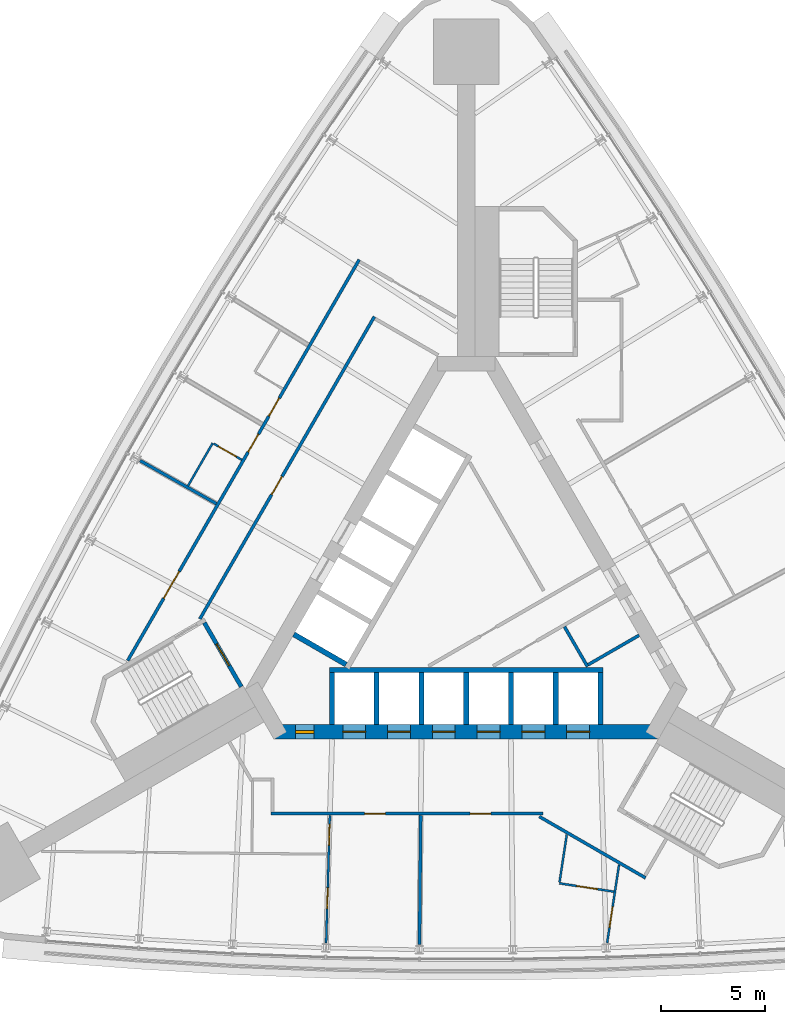
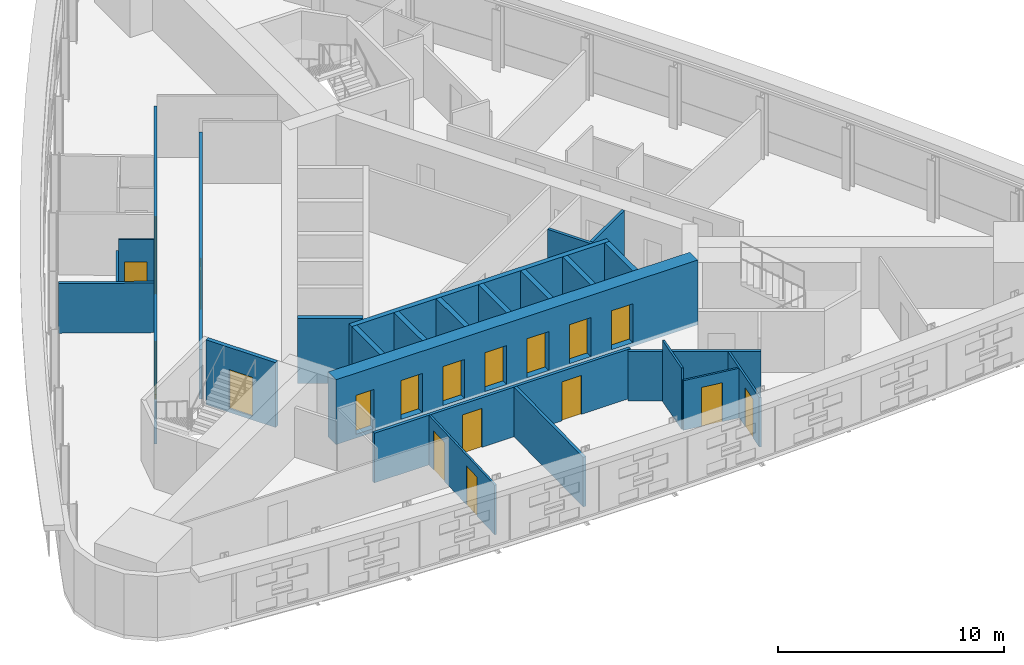
# One storey, part 8 of 13: 25 walls, 19 doors, 19 openings.
"""IFC4 building model written with IfcOpenShell, lengths in metres."""

import ifcopenshell
import ifcopenshell.guid

model = None  # the IFC model being written
_history = None  # IfcOwnerHistory: only IFC2X3 demands one
_inside = {}  # id of a spatial element -> (the spatial element, [elements in it])
_under = {}  # id of a project, library or spatial element -> (it, [spatial elements below it])
_declared = {}  # id of a project -> (the project, [libraries it declares])
_typed = {}  # id of a type object -> (the type object, [elements of that type])
_made_of = {}  # id of a material, layer set ... -> (it, [elements and type objects made of it])


def new_model(schema):
    """Start an empty IFC model of exactly this schema.

    Asked for "IFC4X3", IfcOpenShell would pick the latest addendum, in which some entities
    have other attributes; the version numbers below select the first issue.
    IFC2X3 requires an IfcOwnerHistory on every rooted entity: one is made here for all.
    """
    global model, _history
    if schema == "IFC4X3":
        model = ifcopenshell.file(schema_version=(4, 3, 0, 0))
    else:
        model = ifcopenshell.file(schema=schema)
    _inside.clear()
    _under.clear()
    _declared.clear()
    _typed.clear()
    _made_of.clear()
    _history = None
    if model.schema == "IFC2X3":
        org = make("IfcOrganization", Name="unknown")
        user = make(
            "IfcPersonAndOrganization",
            ThePerson=make("IfcPerson", FamilyName="unknown"),
            TheOrganization=org,
        )
        app = make(
            "IfcApplication",
            ApplicationDeveloper=org,
            Version="unknown",
            ApplicationFullName="unknown",
            ApplicationIdentifier="unknown",
        )
        _history = make(
            "IfcOwnerHistory",
            OwningUser=user,
            OwningApplication=app,
            ChangeAction="ADDED",
            CreationDate=0,
        )
    return model


def make(cls, **values):
    """One entity of the class cls with the attributes given. An attribute that is None is left unset."""
    return model.create_entity(
        cls, **{name: value for name, value in values.items() if value is not None}
    )


def rooted(cls, **values):
    """An entity with a GlobalId (a new one), such as an element, a storey or a relation."""
    return make(cls, GlobalId=ifcopenshell.guid.new(), OwnerHistory=_history, **values)


def si_unit(unit_type, name, prefix=None):
    """IfcSIUnit, for example si_unit("LENGTHUNIT", "METRE", prefix="MILLI")."""
    return make("IfcSIUnit", UnitType=unit_type, Prefix=prefix, Name=name)


def assignment(units):
    """IfcUnitAssignment: the units of a project."""
    return None if units is None else make("IfcUnitAssignment", Units=units)


def point(xyz):
    """IfcCartesianPoint."""
    return None if xyz is None else make("IfcCartesianPoint", Coordinates=xyz)


def direction(xyz):
    """IfcDirection."""
    return None if xyz is None else make("IfcDirection", DirectionRatios=xyz)


def frame(location, z_axis=None, x_axis=None):
    """IfcAxis2Placement3D, a coordinate frame: its origin and axes. An axis left out is left unset."""
    return make(
        "IfcAxis2Placement3D",
        Location=point(location),
        Axis=direction(z_axis),
        RefDirection=direction(x_axis),
    )


def frame_2d(location, x_axis=None):
    """IfcAxis2Placement2D, a coordinate frame in the plane: its origin and x axis."""
    return make(
        "IfcAxis2Placement2D", Location=point(location), RefDirection=direction(x_axis)
    )


def origin():
    """The frame at (0, 0, 0) with its axes left unset."""
    return frame((0.0, 0.0, 0.0))


def place(relative_to, where):
    """IfcLocalPlacement: puts the frame where relative to a parent placement (None: the world)."""
    return make(
        "IfcLocalPlacement", PlacementRelTo=relative_to, RelativePlacement=where
    )


def context(
    kind, dimensions, precision=None, world=None, true_north=None, identifier=None
):
    """IfcGeometricRepresentationContext, for example the 3D "Model" context."""
    return make(
        "IfcGeometricRepresentationContext",
        ContextIdentifier=identifier,
        ContextType=kind,
        CoordinateSpaceDimension=dimensions,
        Precision=precision,
        WorldCoordinateSystem=world,
        TrueNorth=true_north,
    )


def subcontext(parent, identifier, kind, view, scale=None):
    """IfcGeometricRepresentationSubContext, for example "Body" below "Model"."""
    return make(
        "IfcGeometricRepresentationSubContext",
        ContextIdentifier=identifier,
        ContextType=kind,
        ParentContext=parent,
        TargetScale=scale,
        TargetView=view,
    )


def project(units=None, contexts=None):
    """IfcProject with its units and contexts."""
    return rooted(
        "IfcProject",
        Name="project",
        RepresentationContexts=contexts,
        UnitsInContext=assignment(units),
    )


def spatial(cls, under=None, at=None, **own):
    """A site, building, storey or space (cls), placed at a placement, below another one or the project."""
    s = rooted(cls, ObjectPlacement=at, **own)
    if under is not None:
        _under.setdefault(under.id(), (under, []))[1].append(s)
    return s


def profile(cls, at=None, kind="AREA", **sizes):
    """A parametric profile (cls). Its sizes go by their IFC names, for example OverallWidth=200.0."""
    return make(cls, ProfileType=kind, Position=at, **sizes)


def rectangle(**sizes):
    """IfcRectangleProfileDef."""
    return profile("IfcRectangleProfileDef", **sizes)


def extrude(swept, where, along, depth):
    """IfcExtrudedAreaSolid: the profile swept, set in the frame where, extruded along a direction by depth."""
    return make(
        "IfcExtrudedAreaSolid",
        SweptArea=swept,
        Position=where,
        ExtrudedDirection=direction(along),
        Depth=depth,
    )


def shape(context_of_items, identifier, shape_type, items):
    """IfcShapeRepresentation: the items that make up one representation, for example the "Body"."""
    return make(
        "IfcShapeRepresentation",
        ContextOfItems=context_of_items,
        RepresentationIdentifier=identifier,
        RepresentationType=shape_type,
        Items=items,
    )


def material(Name=None, Category=None):
    """IfcMaterial."""
    return make("IfcMaterial", Name=Name, Category=Category)


def layer(
    of_material, thickness, ventilated=None, Name=None, Category=None, Priority=None
):
    """IfcMaterialLayer: one layer of a wall or slab, of a material (None: an air gap)."""
    return make(
        "IfcMaterialLayer",
        Material=of_material,
        LayerThickness=thickness,
        IsVentilated=ventilated,
        Name=Name,
        Category=Category,
        Priority=Priority,
    )


def layer_set(layers, Name=None):
    """IfcMaterialLayerSet."""
    return make("IfcMaterialLayerSet", MaterialLayers=layers, LayerSetName=Name)


def made_of(thing, what):
    """Note that an element or type object is made of a material, layer set ...; save() writes the relation."""
    if what is not None:
        _made_of.setdefault(what.id(), (what, []))[1].append(thing)
    return thing


def type_object(cls, material=None, **own):
    """A type object (cls), such as IfcWallType, which elements share."""
    return made_of(rooted(cls, **own), material)


def element(
    cls,
    number,
    at=None,
    inside=None,
    cuts=None,
    type_object=None,
    material=None,
    context=None,
    identifier="Body",
    shape_type=None,
    held_by="IfcProductDefinitionShape",
    body=None,
    shapes=None,
    **own,
):
    """One element of the class cls, such as IfcWall. Its Tag is "e" and its number.

    at: its placement. inside: the storey or other place that contains it. cuts: it is an
    opening in that element (IfcRelVoidsElement). A single representation is given by context,
    identifier, shape_type and body (its items); several are given by shapes. held_by: the class
    of the entity that holds the representations. save() writes the other relations.
    """
    e = rooted(cls, Tag="e%d" % number, ObjectPlacement=at, **own)
    if body is not None:
        shapes = [shape(context, identifier, shape_type, body)]
    if shapes is not None:
        e.Representation = make(held_by, Representations=shapes)
    if inside is not None:
        _inside.setdefault(inside.id(), (inside, []))[1].append(e)
    if cuts is not None:
        rooted(
            "IfcRelVoidsElement", RelatingBuildingElement=cuts, RelatedOpeningElement=e
        )
    if type_object is not None:
        _typed.setdefault(type_object.id(), (type_object, []))[1].append(e)
    return made_of(e, material)


def fill(opening, filler):
    """IfcRelFillsElement: the door or window that sits in an opening."""
    return rooted(
        "IfcRelFillsElement",
        RelatingOpeningElement=opening,
        RelatedBuildingElement=filler,
    )


def aggregate(whole, parts):
    """IfcRelAggregates: a whole, such as a stair, and the parts it consists of."""
    return rooted("IfcRelAggregates", RelatingObject=whole, RelatedObjects=parts)


def save(model, path):
    """Write the relations noted so far, then the file.

    IfcRelAggregates (storeys below a building ...), IfcRelContainedInSpatialStructure (elements
    in a storey), IfcRelDefinesByType, IfcRelAssociatesMaterial and IfcRelDeclares: one each for
    every whole, place, type object, material and project.
    """
    for whole, parts in _under.values():
        aggregate(whole, parts)
    for where, things in _inside.values():
        rooted(
            "IfcRelContainedInSpatialStructure",
            RelatedElements=things,
            RelatingStructure=where,
        )
    for kind, things in _typed.values():
        rooted("IfcRelDefinesByType", RelatedObjects=things, RelatingType=kind)
    for what, things in _made_of.values():
        rooted("IfcRelAssociatesMaterial", RelatedObjects=things, RelatingMaterial=what)
    for by, libraries in _declared.values():
        rooted("IfcRelDeclares", RelatingContext=by, RelatedDefinitions=libraries)
    model.write(path)


model = new_model("IFC4")

# Units and contexts
model_context = context("Model", 3, precision=1e-05, world=origin(), true_north=direction((0.0, 1.0)))
body_context = subcontext(model_context, "Body", "Model", "MODEL_VIEW")
ifc_project = project(units=[si_unit("LENGTHUNIT", "METRE"), si_unit("AREAUNIT", "SQUARE_METRE"), si_unit("VOLUMEUNIT", "CUBIC_METRE"), si_unit("PLANEANGLEUNIT", "RADIAN"), si_unit("MASSUNIT", "GRAM", prefix="KILO")], contexts=[model_context])

# Site, building, storey
site_placement = place(None, origin())
site = spatial("IfcSite", under=ifc_project, at=site_placement, CompositionType="ELEMENT")
building_placement = place(site_placement, origin())
building = spatial("IfcBuilding", under=site, at=building_placement, Name="Noor Cloister Tower", CompositionType="ELEMENT")
storey_placement = place(building_placement, frame((0.0, 0.0, 83.39990234375)))
storey = spatial("IfcBuildingStorey", under=building, at=storey_placement, Name="L21", CompositionType="ELEMENT", Elevation=83.39990234375)

# Walls
ifc_material_1 = material(Name="Concrete C30/37", Category="concrete")
ifc_layer_1 = layer(ifc_material_1, 0.14990234375)
ifc_layer_set_1 = layer_set([ifc_layer_1], Name="Core partition 150 C30/37")
wall_type_1 = type_object("IfcWallType", Name="Core partition 150 C30/37", PredefinedType="PARTITIONING", material=ifc_layer_set_1)
wall_1_placement = place(storey_placement, frame((5.82861328125, -3.439208984375, 0.0), z_axis=(0.0, 0.0, 1.0), x_axis=(-0.49995790319, 0.866049707025, 0.0)))
element("IfcWall", 1, at=wall_1_placement, inside=storey, type_object=wall_type_1, Name="Core room partition L21 4", PredefinedType="PARTITIONING", context=body_context, shape_type="SweptSolid", body=[
    extrude(rectangle(XDim=2.214111328125, YDim=0.14990234375, at=frame_2d((1.10693359375, 0.0))), origin(), (0.0, 0.0, 1.0), 3.300048828125),
])
wall_2_placement = place(storey_placement, frame((5.861572265625, -3.34619140625, 0.0), z_axis=(0.0, 0.0, 1.0), x_axis=(0.866011447264, 0.500024172624, 0.0)))
element("IfcWall", 2, at=wall_2_placement, inside=storey, type_object=wall_type_1, Name="Core room partition L21 5", PredefinedType="PARTITIONING", context=body_context, shape_type="SweptSolid", body=[
    extrude(rectangle(XDim=2.824951171875, YDim=0.14990234375, at=frame_2d((1.41259765625, 0.0))), origin(), (0.0, 0.0, 1.0), 3.300048828125),
])

# Wall, openings, doors
ifc_material_2 = material(Name="Concrete C80/95", Category="concrete")
ifc_layer_2 = layer(ifc_material_2, 0.699951171875)
ifc_layer_set_2 = layer_set([ifc_layer_2], Name="Core wall 700 C80/95")
wall_type_2 = type_object("IfcWallType", Name="Core wall 700 C80/95", PredefinedType="SHEAR", material=ifc_layer_set_2)
wall_3_placement = place(storey_placement, frame((-9.228759765625, -6.578125, -0.199951171875), z_axis=(0.0, 0.0, 1.0), x_axis=(1.0, 0.0, 0.0)))
wall_3 = element("IfcWall", 3, at=wall_3_placement, inside=storey, type_object=wall_type_2, Name="Core wall L21 1", PredefinedType="SHEAR", context=body_context, shape_type="SweptSolid", body=[
    extrude(rectangle(XDim=18.45751953125, YDim=0.699951171875, at=frame_2d((9.228759765625, 0.0))), origin(), (0.0, 0.0, 1.0), 3.5),
])
opening_1_placement = place(wall_3_placement, frame((3.3037109375, 0.0, 0.199951171875)))
opening_1 = element("IfcOpeningElement", 4, at=opening_1_placement, cuts=wall_3, Name="Opening L21-LR1", PredefinedType="OPENING", context=body_context, shape_type="SweptSolid", body=[
    extrude(rectangle(XDim=1.10009765625, YDim=2.10009765625, at=frame_2d((0.550048828125, 1.050048828125))), frame((0.0, 0.35986328125, 0.0), z_axis=(0.0, -1.0, 0.0), x_axis=(1.0, 0.0, 0.0)), (0.0, 0.0, 1.0), 0.719970703125),
])
opening_2_placement = place(wall_3_placement, frame((5.45361328125, 0.0, 0.199951171875)))
opening_2 = element("IfcOpeningElement", 5, at=opening_2_placement, cuts=wall_3, Name="Opening L21-LR2", PredefinedType="OPENING", context=body_context, shape_type="SweptSolid", body=[
    extrude(rectangle(XDim=1.10009765625, YDim=2.10009765625, at=frame_2d((0.550048828125, 1.050048828125))), frame((0.0, 0.35986328125, 0.0), z_axis=(0.0, -1.0, 0.0), x_axis=(1.0, 0.0, 0.0)), (0.0, 0.0, 1.0), 0.719970703125),
])
opening_3_placement = place(wall_3_placement, frame((7.603759765625, 0.0, 0.199951171875)))
opening_3 = element("IfcOpeningElement", 6, at=opening_3_placement, cuts=wall_3, Name="Opening L21-LR3", PredefinedType="OPENING", context=body_context, shape_type="SweptSolid", body=[
    extrude(rectangle(XDim=1.10009765625, YDim=2.10009765625, at=frame_2d((0.550048828125, 1.050048828125))), frame((0.0, 0.35986328125, 0.0), z_axis=(0.0, -1.0, 0.0), x_axis=(1.0, 0.0, 0.0)), (0.0, 0.0, 1.0), 0.719970703125),
])
opening_4_placement = place(wall_3_placement, frame((9.753662109375, 0.0, 0.199951171875)))
opening_4 = element("IfcOpeningElement", 7, at=opening_4_placement, cuts=wall_3, Name="Opening L21-LR4", PredefinedType="OPENING", context=body_context, shape_type="SweptSolid", body=[
    extrude(rectangle(XDim=1.10009765625, YDim=2.10009765625, at=frame_2d((0.550048828125, 1.050048828125))), frame((0.0, 0.35986328125, 0.0), z_axis=(0.0, -1.0, 0.0), x_axis=(1.0, 0.0, 0.0)), (0.0, 0.0, 1.0), 0.719970703125),
])
opening_5_placement = place(wall_3_placement, frame((11.90380859375, 0.0, 0.199951171875)))
opening_5 = element("IfcOpeningElement", 8, at=opening_5_placement, cuts=wall_3, Name="Opening L21-LR5", PredefinedType="OPENING", context=body_context, shape_type="SweptSolid", body=[
    extrude(rectangle(XDim=1.10009765625, YDim=2.10009765625, at=frame_2d((0.550048828125, 1.050048828125))), frame((0.0, 0.35986328125, 0.0), z_axis=(0.0, -1.0, 0.0), x_axis=(1.0, 0.0, 0.0)), (0.0, 0.0, 1.0), 0.719970703125),
])
opening_6_placement = place(wall_3_placement, frame((14.0537109375, 0.0, 0.199951171875)))
opening_6 = element("IfcOpeningElement", 9, at=opening_6_placement, cuts=wall_3, Name="Opening L21-LR6", PredefinedType="OPENING", context=body_context, shape_type="SweptSolid", body=[
    extrude(rectangle(XDim=1.10009765625, YDim=2.10009765625, at=frame_2d((0.550048828125, 1.050048828125))), frame((0.0, 0.35986328125, 0.0), z_axis=(0.0, -1.0, 0.0), x_axis=(1.0, 0.0, 0.0)), (0.0, 0.0, 1.0), 0.719970703125),
])
opening_7_placement = place(wall_3_placement, frame((1.0263671875, 0.0, 0.199951171875)))
opening_7 = element("IfcOpeningElement", 10, at=opening_7_placement, cuts=wall_3, Name="Opening L21-907", PredefinedType="OPENING", context=body_context, shape_type="SweptSolid", body=[
    extrude(rectangle(XDim=0.89990234375, YDim=2.10009765625, at=frame_2d((0.449951171875, 1.050048828125))), frame((0.0, 0.35986328125, 0.0), z_axis=(0.0, -1.0, 0.0), x_axis=(1.0, 0.0, 0.0)), (0.0, 0.0, 1.0), 0.719970703125),
])
ifc_material_3 = material(Name="Steel", Category="steel")
door_type_1 = type_object("IfcDoorType", Name="Core door 900 x 2100 FD60", OperationType="SINGLE_SWING_LEFT", PredefinedType="DOOR", material=ifc_material_3)
door_1_placement = place(opening_7_placement, origin())
door_1 = element("IfcDoor", 11, at=door_1_placement, inside=storey, type_object=door_type_1, Name="Core door 7 L21", OperationType="SINGLE_SWING_LEFT", OverallHeight=2.10009765625, OverallWidth=0.89990234375, PredefinedType="DOOR", context=body_context, shape_type="SweptSolid", body=[
    extrude(rectangle(XDim=0.89990234375, YDim=2.10009765625, at=frame_2d((0.449951171875, 1.050048828125))), frame((0.0, 0.074951171875, 0.0), z_axis=(0.0, -1.0, 0.0), x_axis=(1.0, 0.0, 0.0)), (0.0, 0.0, 1.0), 0.14990234375),
])
fill(opening_7, door_1)
ifc_material_4 = material(Name="Stainless steel", Category="steel")
door_type_2 = type_object("IfcDoorType", Name="Lift landing door 1100 x 2100", OperationType="DOUBLE_DOOR_SLIDING", PredefinedType="DOOR", material=ifc_material_4)
door_2_placement = place(opening_1_placement, origin())
door_2 = element("IfcDoor", 12, at=door_2_placement, inside=storey, type_object=door_type_2, Name="Landing door LR1 L21", OperationType="DOUBLE_DOOR_SLIDING", OverallHeight=2.10009765625, OverallWidth=1.10009765625, PredefinedType="DOOR", context=body_context, shape_type="SweptSolid", body=[
    extrude(rectangle(XDim=1.10009765625, YDim=2.10009765625, at=frame_2d((0.550048828125, 1.050048828125))), frame((0.0, 0.02490234375, 0.0), z_axis=(0.0, -1.0, 0.0), x_axis=(1.0, 0.0, 0.0)), (0.0, 0.0, 1.0), 0.050048828125),
])
fill(opening_1, door_2)
door_3_placement = place(opening_2_placement, origin())
door_3 = element("IfcDoor", 13, at=door_3_placement, inside=storey, type_object=door_type_2, Name="Landing door LR2 L21", OperationType="DOUBLE_DOOR_SLIDING", OverallHeight=2.10009765625, OverallWidth=1.10009765625, PredefinedType="DOOR", context=body_context, shape_type="SweptSolid", body=[
    extrude(rectangle(XDim=1.10009765625, YDim=2.10009765625, at=frame_2d((0.550048828125, 1.050048828125))), frame((0.0, 0.02490234375, 0.0), z_axis=(0.0, -1.0, 0.0), x_axis=(1.0, 0.0, 0.0)), (0.0, 0.0, 1.0), 0.050048828125),
])
fill(opening_2, door_3)
door_4_placement = place(opening_3_placement, origin())
door_4 = element("IfcDoor", 14, at=door_4_placement, inside=storey, type_object=door_type_2, Name="Landing door LR3 L21", OperationType="DOUBLE_DOOR_SLIDING", OverallHeight=2.10009765625, OverallWidth=1.10009765625, PredefinedType="DOOR", context=body_context, shape_type="SweptSolid", body=[
    extrude(rectangle(XDim=1.10009765625, YDim=2.10009765625, at=frame_2d((0.550048828125, 1.050048828125))), frame((0.0, 0.02490234375, 0.0), z_axis=(0.0, -1.0, 0.0), x_axis=(1.0, 0.0, 0.0)), (0.0, 0.0, 1.0), 0.050048828125),
])
fill(opening_3, door_4)
door_5_placement = place(opening_4_placement, origin())
door_5 = element("IfcDoor", 15, at=door_5_placement, inside=storey, type_object=door_type_2, Name="Landing door LR4 L21", OperationType="DOUBLE_DOOR_SLIDING", OverallHeight=2.10009765625, OverallWidth=1.10009765625, PredefinedType="DOOR", context=body_context, shape_type="SweptSolid", body=[
    extrude(rectangle(XDim=1.10009765625, YDim=2.10009765625, at=frame_2d((0.550048828125, 1.050048828125))), frame((0.0, 0.02490234375, 0.0), z_axis=(0.0, -1.0, 0.0), x_axis=(1.0, 0.0, 0.0)), (0.0, 0.0, 1.0), 0.050048828125),
])
fill(opening_4, door_5)
door_6_placement = place(opening_5_placement, origin())
door_6 = element("IfcDoor", 16, at=door_6_placement, inside=storey, type_object=door_type_2, Name="Landing door LR5 L21", OperationType="DOUBLE_DOOR_SLIDING", OverallHeight=2.10009765625, OverallWidth=1.10009765625, PredefinedType="DOOR", context=body_context, shape_type="SweptSolid", body=[
    extrude(rectangle(XDim=1.10009765625, YDim=2.10009765625, at=frame_2d((0.550048828125, 1.050048828125))), frame((0.0, 0.02490234375, 0.0), z_axis=(0.0, -1.0, 0.0), x_axis=(1.0, 0.0, 0.0)), (0.0, 0.0, 1.0), 0.050048828125),
])
fill(opening_5, door_6)
door_7_placement = place(opening_6_placement, origin())
door_7 = element("IfcDoor", 17, at=door_7_placement, inside=storey, type_object=door_type_2, Name="Landing door LR6 L21", OperationType="DOUBLE_DOOR_SLIDING", OverallHeight=2.10009765625, OverallWidth=1.10009765625, PredefinedType="DOOR", context=body_context, shape_type="SweptSolid", body=[
    extrude(rectangle(XDim=1.10009765625, YDim=2.10009765625, at=frame_2d((0.550048828125, 1.050048828125))), frame((0.0, 0.02490234375, 0.0), z_axis=(0.0, -1.0, 0.0), x_axis=(1.0, 0.0, 0.0)), (0.0, 0.0, 1.0), 0.050048828125),
])
fill(opening_6, door_7)

# Wall, opening, door
ifc_material_5 = material(Name="Fire-rated gypsum board partition on steel studs, 150 mm", Category="steel")
ifc_layer_3 = layer(ifc_material_5, 0.14990234375)
ifc_layer_set_3 = layer_set([ifc_layer_3], Name="Fire lobby wall 150")
wall_type_3 = type_object("IfcWallType", Name="Fire lobby wall 150", PredefinedType="PARTITIONING", material=ifc_layer_set_3)
wall_4_placement = place(storey_placement, frame((-4.40673828125, 13.373779296875, 0.0), z_axis=(0.0, 0.0, 1.0), x_axis=(-0.499997181693, -0.866027030928, 0.0)))
wall_4 = element("IfcWall", 18, at=wall_4_placement, inside=storey, type_object=wall_type_3, Name="Fire lobby wall 150 L21 002", PredefinedType="PARTITIONING", context=body_context, shape_type="SweptSolid", body=[
    extrude(rectangle(XDim=16.76953125, YDim=0.14990234375, at=frame_2d((8.384765625, 0.0))), origin(), (0.0, 0.0, 1.0), 2.677978515625),
])
opening_8_placement = place(wall_4_placement, frame((8.878662109375, 0.0, 0.0)))
opening_8 = element("IfcOpeningElement", 19, at=opening_8_placement, cuts=wall_4, Name="Opening L21-004", PredefinedType="OPENING", context=body_context, shape_type="SweptSolid", body=[
    extrude(rectangle(XDim=1.0, YDim=2.10009765625, at=frame_2d((0.5, 1.050048828125))), frame((0.0, 0.0849609375, 0.0), z_axis=(0.0, -1.0, 0.0), x_axis=(1.0, 0.0, 0.0)), (0.0, 0.0, 1.0), 0.169921875),
])
ifc_material_6 = material(Name="Timber door leaf with steel frame", Category="steel")
door_type_3 = type_object("IfcDoorType", Name="Fire lobby door 1000", OperationType="NOTDEFINED", PredefinedType="DOOR", material=ifc_material_6)
door_8_placement = place(opening_8_placement, origin())
door_8 = element("IfcDoor", 20, at=door_8_placement, inside=storey, type_object=door_type_3, Name="Fire lobby door 1000 L21-004", OperationType="SINGLE_SWING_RIGHT", OverallHeight=2.10009765625, OverallWidth=1.0, PredefinedType="DOOR", context=body_context, shape_type="SweptSolid", body=[
    extrude(rectangle(XDim=1.0, YDim=2.10009765625, at=frame_2d((0.5, 1.050048828125))), frame((0.0, 0.02490234375, 0.0), z_axis=(0.0, -1.0, 0.0), x_axis=(1.0, 0.0, 0.0)), (0.0, 0.0, 1.0), 0.050048828125),
])
fill(opening_8, door_8)

# Wall, openings, doors
ifc_material_7 = material(Name="Gypsum board partition on steel studs, 150 mm", Category="steel")
ifc_layer_4 = layer(ifc_material_7, 0.14990234375)
ifc_layer_set_4 = layer_set([ifc_layer_4], Name="Flat wall 150")
wall_type_4 = type_object("IfcWallType", Name="Flat wall 150", PredefinedType="PARTITIONING", material=ifc_layer_set_4)
wall_5_placement = place(storey_placement, frame((-16.255615234375, -3.149169921875, 0.0), z_axis=(0.0, 0.0, 1.0), x_axis=(0.499999683919, 0.866025586274, 0.0)))
wall_5 = element("IfcWall", 21, at=wall_5_placement, inside=storey, type_object=wall_type_4, Name="Flat wall 150 L21 001", PredefinedType="PARTITIONING", context=body_context, shape_type="SweptSolid", body=[
    extrude(rectangle(XDim=22.23388671875, YDim=0.14990234375, at=frame_2d((11.116943359375, 0.0))), origin(), (0.0, 0.0, 1.0), 2.677978515625),
])
opening_9_placement = place(wall_5_placement, frame((13.552978515625, 0.0, 0.0)))
opening_9 = element("IfcOpeningElement", 22, at=opening_9_placement, cuts=wall_5, Name="Opening L21-001", PredefinedType="OPENING", context=body_context, shape_type="SweptSolid", body=[
    extrude(rectangle(XDim=1.0, YDim=2.10009765625, at=frame_2d((0.5, 1.050048828125))), frame((0.0, 0.0849609375, 0.0), z_axis=(0.0, -1.0, 0.0), x_axis=(1.0, 0.0, 0.0)), (0.0, 0.0, 1.0), 0.169921875),
])
opening_10_placement = place(wall_5_placement, frame((11.5595703125, 0.0, 0.0)))
opening_10 = element("IfcOpeningElement", 23, at=opening_10_placement, cuts=wall_5, Name="Opening L21-002", PredefinedType="OPENING", context=body_context, shape_type="SweptSolid", body=[
    extrude(rectangle(XDim=1.0, YDim=2.10009765625, at=frame_2d((0.5, 1.050048828125))), frame((0.0, 0.0849609375, 0.0), z_axis=(0.0, -1.0, 0.0), x_axis=(1.0, 0.0, 0.0)), (0.0, 0.0, 1.0), 0.169921875),
])
opening_11_placement = place(wall_5_placement, frame((3.4462890625, 0.0, 0.0)))
opening_11 = element("IfcOpeningElement", 24, at=opening_11_placement, cuts=wall_5, Name="Opening L21-003", PredefinedType="OPENING", context=body_context, shape_type="SweptSolid", body=[
    extrude(rectangle(XDim=1.5, YDim=2.10009765625, at=frame_2d((0.75, 1.050048828125))), frame((0.0, 0.0849609375, 0.0), z_axis=(0.0, -1.0, 0.0), x_axis=(1.0, 0.0, 0.0)), (0.0, 0.0, 1.0), 0.169921875),
])
ifc_material_8 = material(Name="Timber door leaf with steel frame", Category="steel")
door_type_4 = type_object("IfcDoorType", Name="Assisted living door 1000", OperationType="NOTDEFINED", PredefinedType="DOOR", material=ifc_material_8)
door_9_placement = place(opening_9_placement, origin())
door_9 = element("IfcDoor", 25, at=door_9_placement, inside=storey, type_object=door_type_4, Name="Assisted living door 1000 L21-001", OperationType="SINGLE_SWING_RIGHT", OverallHeight=2.10009765625, OverallWidth=1.0, PredefinedType="DOOR", context=body_context, shape_type="SweptSolid", body=[
    extrude(rectangle(XDim=1.0, YDim=2.10009765625, at=frame_2d((0.5, 1.050048828125))), frame((0.0, 0.02490234375, 0.0), z_axis=(0.0, -1.0, 0.0), x_axis=(1.0, 0.0, 0.0)), (0.0, 0.0, 1.0), 0.050048828125),
])
fill(opening_9, door_9)
door_10_placement = place(opening_10_placement, origin())
door_10 = element("IfcDoor", 26, at=door_10_placement, inside=storey, type_object=door_type_4, Name="Assisted living door 1000 L21-002", OperationType="SINGLE_SWING_RIGHT", OverallHeight=2.10009765625, OverallWidth=1.0, PredefinedType="DOOR", context=body_context, shape_type="SweptSolid", body=[
    extrude(rectangle(XDim=1.0, YDim=2.10009765625, at=frame_2d((0.5, 1.050048828125))), frame((0.0, 0.02490234375, 0.0), z_axis=(0.0, -1.0, 0.0), x_axis=(1.0, 0.0, 0.0)), (0.0, 0.0, 1.0), 0.050048828125),
])
fill(opening_10, door_10)
ifc_material_9 = material(Name="Timber door leaf with steel frame", Category="steel")
door_type_5 = type_object("IfcDoorType", Name="Double door 1500 FD60", OperationType="NOTDEFINED", PredefinedType="DOOR", material=ifc_material_9)
door_11_placement = place(opening_11_placement, origin())
door_11 = element("IfcDoor", 27, at=door_11_placement, inside=storey, type_object=door_type_5, Name="Double door 1500 L21-003", OperationType="DOUBLE_DOOR_SINGLE_SWING", OverallHeight=2.10009765625, OverallWidth=1.5, PredefinedType="DOOR", context=body_context, shape_type="SweptSolid", body=[
    extrude(rectangle(XDim=1.5, YDim=2.10009765625, at=frame_2d((0.75, 1.050048828125))), frame((0.0, 0.02490234375, 0.0), z_axis=(0.0, -1.0, 0.0), x_axis=(1.0, 0.0, 0.0)), (0.0, 0.0, 1.0), 0.050048828125),
])
fill(opening_11, door_11)

wall_6_placement = place(storey_placement, frame((3.68896484375, -10.503173828125, 0.0), z_axis=(0.0, 0.0, 1.0), x_axis=(-1.0, 0.0, 0.0)))
wall_6 = element("IfcWall", 28, at=wall_6_placement, inside=storey, type_object=wall_type_4, Name="Flat wall 150 L21 004", PredefinedType="PARTITIONING", context=body_context, shape_type="SweptSolid", body=[
    extrude(rectangle(XDim=13.067626953125, YDim=0.14990234375, at=frame_2d((6.53369140625, 0.0))), origin(), (0.0, 0.0, 1.0), 2.677978515625),
])
opening_12_placement = place(wall_6_placement, frame((7.565673828125, 0.0, 0.0)))
opening_12 = element("IfcOpeningElement", 29, at=opening_12_placement, cuts=wall_6, Name="Opening L21-009", PredefinedType="OPENING", context=body_context, shape_type="SweptSolid", body=[
    extrude(rectangle(XDim=1.0, YDim=2.10009765625, at=frame_2d((0.5, 1.050048828125))), frame((0.0, 0.0849609375, 0.0), z_axis=(0.0, -1.0, 0.0), x_axis=(1.0, 0.0, 0.0)), (0.0, 0.0, 1.0), 0.169921875),
])
opening_13_placement = place(wall_6_placement, frame((2.500244140625, 0.0, 0.0)))
opening_13 = element("IfcOpeningElement", 30, at=opening_13_placement, cuts=wall_6, Name="Opening L21-010", PredefinedType="OPENING", context=body_context, shape_type="SweptSolid", body=[
    extrude(rectangle(XDim=1.0, YDim=2.10009765625, at=frame_2d((0.5, 1.050048828125))), frame((0.0, 0.0849609375, 0.0), z_axis=(0.0, -1.0, 0.0), x_axis=(1.0, 0.0, 0.0)), (0.0, 0.0, 1.0), 0.169921875),
])
ifc_material_10 = material(Name="Timber door leaf with steel frame", Category="steel")
door_type_6 = type_object("IfcDoorType", Name="Flat entrance door 1000 FD60S", OperationType="NOTDEFINED", PredefinedType="DOOR", material=ifc_material_10)
door_12_placement = place(opening_12_placement, origin())
door_12 = element("IfcDoor", 31, at=door_12_placement, inside=storey, type_object=door_type_6, Name="Flat entrance door 1000 L21-009", OperationType="SINGLE_SWING_RIGHT", OverallHeight=2.10009765625, OverallWidth=1.0, PredefinedType="DOOR", context=body_context, shape_type="SweptSolid", body=[
    extrude(rectangle(XDim=1.0, YDim=2.10009765625, at=frame_2d((0.5, 1.050048828125))), frame((0.0, 0.02490234375, 0.0), z_axis=(0.0, -1.0, 0.0), x_axis=(1.0, 0.0, 0.0)), (0.0, 0.0, 1.0), 0.050048828125),
])
fill(opening_12, door_12)
door_13_placement = place(opening_13_placement, origin())
door_13 = element("IfcDoor", 32, at=door_13_placement, inside=storey, type_object=door_type_6, Name="Flat entrance door 1000 L21-010", OperationType="SINGLE_SWING_LEFT", OverallHeight=2.10009765625, OverallWidth=1.0, PredefinedType="DOOR", context=body_context, shape_type="SweptSolid", body=[
    extrude(rectangle(XDim=1.0, YDim=2.10009765625, at=frame_2d((0.5, 1.050048828125))), frame((0.0, 0.02490234375, 0.0), z_axis=(0.0, -1.0, 0.0), x_axis=(1.0, 0.0, 0.0)), (0.0, 0.0, 1.0), 0.050048828125),
])
fill(opening_13, door_13)

# Walls
wall_7_placement = place(storey_placement, frame((3.51318359375, -10.643310546875, 0.0), z_axis=(0.0, 0.0, 1.0), x_axis=(0.866039313704, -0.499975906538, 0.0)))
element("IfcWall", 33, at=wall_7_placement, inside=storey, type_object=wall_type_4, Name="Flat wall 150 L21 006", PredefinedType="PARTITIONING", context=body_context, shape_type="SweptSolid", body=[
    extrude(rectangle(XDim=5.892333984375, YDim=0.14990234375, at=frame_2d((2.9462890625, 0.0))), origin(), (0.0, 0.0, 1.0), 2.677978515625),
])
wall_8_placement = place(storey_placement, frame((-2.2421875, -16.7919921875, 0.0), z_axis=(0.0, 0.0, 1.0), x_axis=(0.009744517475, 0.999952521062, 0.0)))
element("IfcWall", 34, at=wall_8_placement, inside=storey, type_object=wall_type_4, Name="Flat wall 150 L21 018", PredefinedType="PARTITIONING", context=body_context, shape_type="SweptSolid", body=[
    extrude(rectangle(XDim=6.21337890625, YDim=0.14990234375, at=frame_2d((3.106689453125, 0.0))), origin(), (0.0, 0.0, 1.0), 2.677978515625),
])
wall_9_placement = place(storey_placement, frame((-15.663330078125, 6.4541015625, 0.0), z_axis=(0.0, 0.0, 1.0), x_axis=(0.870876717705, -0.491501518369, 0.0)))
element("IfcWall", 35, at=wall_9_placement, inside=storey, type_object=wall_type_4, Name="Flat wall 150 L21 019", PredefinedType="PARTITIONING", context=body_context, shape_type="SweptSolid", body=[
    extrude(rectangle(XDim=4.213134765625, YDim=0.14990234375, at=frame_2d((2.1064453125, 0.0))), origin(), (0.0, 0.0, 1.0), 2.677978515625),
])

# Wall, openings, doors
ifc_material_11 = material(Name="Gypsum board partition on steel studs, 100 mm", Category="steel")
ifc_layer_5 = layer(ifc_material_11, 0.10009765625)
ifc_layer_set_5 = layer_set([ifc_layer_5], Name="Partition 100")
wall_type_5 = type_object("IfcWallType", Name="Partition 100", PredefinedType="PARTITIONING", material=ifc_layer_set_5)
wall_10_placement = place(storey_placement, frame((-6.7255859375, -16.70458984375, 0.0), z_axis=(0.0, 0.0, 1.0), x_axis=(0.029204693092, 0.999573451979, 0.0)))
wall_10 = element("IfcWall", 36, at=wall_10_placement, inside=storey, type_object=wall_type_5, Name="Partition 100 L21 024", PredefinedType="PARTITIONING", context=body_context, shape_type="SweptSolid", body=[
    extrude(rectangle(XDim=6.127685546875, YDim=0.10009765625, at=frame_2d((3.06396484375, 0.0))), origin(), (0.0, 0.0, 1.0), 2.677978515625),
])
opening_14_placement = place(wall_10_placement, frame((4.686767578125, 0.0, 0.0)))
opening_14 = element("IfcOpeningElement", 37, at=opening_14_placement, cuts=wall_10, Name="Opening L21-015", PredefinedType="OPENING", context=body_context, shape_type="SweptSolid", body=[
    extrude(rectangle(XDim=1.0, YDim=2.10009765625, at=frame_2d((0.5, 1.050048828125))), frame((0.0, 0.06005859375, 0.0), z_axis=(0.0, -1.0, 0.0), x_axis=(1.0, 0.0, 0.0)), (0.0, 0.0, 1.0), 0.1201171875),
])
opening_15_placement = place(wall_10_placement, frame((1.634765625, 0.0, 0.0)))
opening_15 = element("IfcOpeningElement", 38, at=opening_15_placement, cuts=wall_10, Name="Opening L21-016", PredefinedType="OPENING", context=body_context, shape_type="SweptSolid", body=[
    extrude(rectangle(XDim=1.0, YDim=2.10009765625, at=frame_2d((0.5, 1.050048828125))), frame((0.0, 0.06005859375, 0.0), z_axis=(0.0, -1.0, 0.0), x_axis=(1.0, 0.0, 0.0)), (0.0, 0.0, 1.0), 0.1201171875),
])
ifc_material_12 = material(Name="Timber door leaf with steel frame", Category="steel")
door_type_7 = type_object("IfcDoorType", Name="Interior door 1000", OperationType="NOTDEFINED", PredefinedType="DOOR", material=ifc_material_12)
door_14_placement = place(opening_14_placement, origin())
door_14 = element("IfcDoor", 39, at=door_14_placement, inside=storey, type_object=door_type_7, Name="Interior door 1000 L21-015", OperationType="SINGLE_SWING_RIGHT", OverallHeight=2.10009765625, OverallWidth=1.0, PredefinedType="DOOR", context=body_context, shape_type="SweptSolid", body=[
    extrude(rectangle(XDim=1.0, YDim=2.10009765625, at=frame_2d((0.5, 1.050048828125))), frame((0.0, 0.02490234375, 0.0), z_axis=(0.0, -1.0, 0.0), x_axis=(1.0, 0.0, 0.0)), (0.0, 0.0, 1.0), 0.050048828125),
])
fill(opening_14, door_14)
door_15_placement = place(opening_15_placement, origin())
door_15 = element("IfcDoor", 40, at=door_15_placement, inside=storey, type_object=door_type_7, Name="Interior door 1000 L21-016", OperationType="SINGLE_SWING_LEFT", OverallHeight=2.10009765625, OverallWidth=1.0, PredefinedType="DOOR", context=body_context, shape_type="SweptSolid", body=[
    extrude(rectangle(XDim=1.0, YDim=2.10009765625, at=frame_2d((0.5, 1.050048828125))), frame((0.0, 0.02490234375, 0.0), z_axis=(0.0, -1.0, 0.0), x_axis=(1.0, 0.0, 0.0)), (0.0, 0.0, 1.0), 0.050048828125),
])
fill(opening_15, door_15)

# Wall, opening, door
wall_11_placement = place(storey_placement, frame((7.34228515625, -12.96142578125, 0.0), z_axis=(0.0, 0.0, 1.0), x_axis=(-0.150825771547, -0.988560360644, 0.0)))
wall_11 = element("IfcWall", 41, at=wall_11_placement, inside=storey, type_object=wall_type_5, Name="Partition 100 L21 026", PredefinedType="PARTITIONING", context=body_context, shape_type="SweptSolid", body=[
    extrude(rectangle(XDim=3.784423828125, YDim=0.10009765625, at=frame_2d((1.89208984375, 0.0))), origin(), (0.0, 0.0, 1.0), 2.677978515625),
])
opening_16_placement = place(wall_11_placement, frame((2.040771484375, 0.0, 0.0)))
opening_16 = element("IfcOpeningElement", 42, at=opening_16_placement, cuts=wall_11, Name="Opening L21-017", PredefinedType="OPENING", context=body_context, shape_type="SweptSolid", body=[
    extrude(rectangle(XDim=1.0, YDim=2.10009765625, at=frame_2d((0.5, 1.050048828125))), frame((0.0, 0.06005859375, 0.0), z_axis=(0.0, -1.0, 0.0), x_axis=(1.0, 0.0, 0.0)), (0.0, 0.0, 1.0), 0.1201171875),
])
door_16_placement = place(opening_16_placement, origin())
door_16 = element("IfcDoor", 43, at=door_16_placement, inside=storey, type_object=door_type_7, Name="Interior door 1000 L21-017", OperationType="SINGLE_SWING_RIGHT", OverallHeight=2.10009765625, OverallWidth=1.0, PredefinedType="DOOR", context=body_context, shape_type="SweptSolid", body=[
    extrude(rectangle(XDim=1.0, YDim=2.10009765625, at=frame_2d((0.5, 1.050048828125))), frame((0.0, 0.02490234375, 0.0), z_axis=(0.0, -1.0, 0.0), x_axis=(1.0, 0.0, 0.0)), (0.0, 0.0, 1.0), 0.050048828125),
])
fill(opening_16, door_16)

wall_12_placement = place(storey_placement, frame((4.4755859375, -13.8486328125, 0.0), z_axis=(0.0, 0.0, 1.0), x_axis=(0.988563667888, -0.150804093219, 0.0)))
wall_12 = element("IfcWall", 44, at=wall_12_placement, inside=storey, type_object=wall_type_5, Name="Partition 100 L21 029", PredefinedType="PARTITIONING", context=body_context, shape_type="SweptSolid", body=[
    extrude(rectangle(XDim=2.650146484375, YDim=0.10009765625, at=frame_2d((1.3251953125, 0.0))), origin(), (0.0, 0.0, 1.0), 2.677978515625),
])
opening_17_placement = place(wall_12_placement, frame((0.85009765625, 0.0, 0.0)))
opening_17 = element("IfcOpeningElement", 45, at=opening_17_placement, cuts=wall_12, Name="Opening L21-019", PredefinedType="OPENING", context=body_context, shape_type="SweptSolid", body=[
    extrude(rectangle(XDim=1.0, YDim=2.10009765625, at=frame_2d((0.5, 1.050048828125))), frame((0.0, 0.06005859375, 0.0), z_axis=(0.0, -1.0, 0.0), x_axis=(1.0, 0.0, 0.0)), (0.0, 0.0, 1.0), 0.1201171875),
])
door_17_placement = place(opening_17_placement, origin())
door_17 = element("IfcDoor", 46, at=door_17_placement, inside=storey, type_object=door_type_7, Name="Interior door 1000 L21-019", OperationType="SINGLE_SWING_RIGHT", OverallHeight=2.10009765625, OverallWidth=1.0, PredefinedType="DOOR", context=body_context, shape_type="SweptSolid", body=[
    extrude(rectangle(XDim=1.0, YDim=2.10009765625, at=frame_2d((0.5, 1.050048828125))), frame((0.0, 0.02490234375, 0.0), z_axis=(0.0, -1.0, 0.0), x_axis=(1.0, 0.0, 0.0)), (0.0, 0.0, 1.0), 0.050048828125),
])
fill(opening_17, door_17)

# Walls
wall_13_placement = place(storey_placement, frame((4.832275390625, -11.51220703125, 0.0), z_axis=(0.0, 0.0, 1.0), x_axis=(-0.150899365419, -0.988549129541, 0.0)))
element("IfcWall", 47, at=wall_13_placement, inside=storey, type_object=wall_type_5, Name="Partition 100 L21 031", PredefinedType="PARTITIONING", context=body_context, shape_type="SweptSolid", body=[
    extrude(rectangle(XDim=2.313720703125, YDim=0.10009765625, at=frame_2d((1.15673828125, 0.0))), origin(), (0.0, 0.0, 1.0), 3.300048828125),
])
wall_14_placement = place(storey_placement, frame((-13.361083984375, 5.241455078125, 0.0), z_axis=(0.0, 0.0, 1.0), x_axis=(0.499965759324, 0.866045171745, 0.0)))
element("IfcWall", 48, at=wall_14_placement, inside=storey, type_object=wall_type_5, Name="Partition 100 L21 033", PredefinedType="PARTITIONING", context=body_context, shape_type="SweptSolid", body=[
    extrude(rectangle(XDim=2.374267578125, YDim=0.10009765625, at=frame_2d((1.18701171875, 0.0))), origin(), (0.0, 0.0, 1.0), 2.677978515625),
])

# Wall, opening, door
wall_15_placement = place(storey_placement, frame((-10.776611328125, 6.49072265625, 0.0), z_axis=(0.0, 0.0, 1.0), x_axis=(-0.865995788838, 0.500051291085, 0.0)))
wall_15 = element("IfcWall", 49, at=wall_15_placement, inside=storey, type_object=wall_type_5, Name="Partition 100 L21 036", PredefinedType="PARTITIONING", context=body_context, shape_type="SweptSolid", body=[
    extrude(rectangle(XDim=1.563720703125, YDim=0.10009765625, at=frame_2d((0.78173828125, 0.0))), origin(), (0.0, 0.0, 1.0), 3.300048828125),
])
opening_18_placement = place(wall_15_placement, frame((0.306884765625, 0.0, 0.0)))
opening_18 = element("IfcOpeningElement", 50, at=opening_18_placement, cuts=wall_15, Name="Opening L21-021", PredefinedType="OPENING", context=body_context, shape_type="SweptSolid", body=[
    extrude(rectangle(XDim=1.0, YDim=2.10009765625, at=frame_2d((0.5, 1.050048828125))), frame((0.0, 0.06005859375, 0.0), z_axis=(0.0, -1.0, 0.0), x_axis=(1.0, 0.0, 0.0)), (0.0, 0.0, 1.0), 0.1201171875),
])
door_18_placement = place(opening_18_placement, origin())
door_18 = element("IfcDoor", 51, at=door_18_placement, inside=storey, type_object=door_type_7, Name="Interior door 1000 L21-021", OperationType="SINGLE_SWING_RIGHT", OverallHeight=2.10009765625, OverallWidth=1.0, PredefinedType="DOOR", context=body_context, shape_type="SweptSolid", body=[
    extrude(rectangle(XDim=1.0, YDim=2.10009765625, at=frame_2d((0.5, 1.050048828125))), frame((0.0, 0.02490234375, 0.0), z_axis=(0.0, -1.0, 0.0), x_axis=(1.0, 0.0, 0.0)), (0.0, 0.0, 1.0), 0.050048828125),
])
fill(opening_18, door_18)

# Walls
ifc_material_13 = material(Name="Concrete C80/95", Category="concrete")
ifc_layer_6 = layer(ifc_material_13, 0.25)
ifc_layer_set_6 = layer_set([ifc_layer_6], Name="Shaft wall 250 C80/95")
wall_type_6 = type_object("IfcWallType", Name="Shaft wall 250 C80/95", PredefinedType="PARTITIONING", material=ifc_layer_set_6)
for number, where, z_axis, x_axis, name in (
    (52, (-6.449951171875, -6.228271484375, -0.199951171875), (0.0, 0.0, 1.0), (0.0, 1.0, 0.0), "Lift shaft wall L21 S 1"),
    (53, (-4.300048828125, -6.228271484375, -0.199951171875), (0.0, 0.0, 1.0), (0.0, 1.0, 0.0), "Lift shaft wall L21 S 2"),
    (54, (-2.14990234375, -6.228271484375, -0.199951171875), (0.0, 0.0, 1.0), (0.0, 1.0, 0.0), "Lift shaft wall L21 S 3"),
    (55, (0.0, -6.228271484375, -0.199951171875), (0.0, 0.0, 1.0), (0.0, 1.0, 0.0), "Lift shaft wall L21 S 4"),
    (56, (2.14990234375, -6.228271484375, -0.199951171875), (0.0, 0.0, 1.0), (0.0, 1.0, 0.0), "Lift shaft wall L21 S 5"),
    (57, (4.300048828125, -6.228271484375, -0.199951171875), (0.0, 0.0, 1.0), (0.0, 1.0, 0.0), "Lift shaft wall L21 S 6"),
    (58, (6.449951171875, -6.228271484375, -0.199951171875), (0.0, 0.0, 1.0), (0.0, 1.0, 0.0), "Lift shaft wall L21 S 7"),
):
    element("IfcWall", number, at=place(storey_placement, frame(where, z_axis=z_axis, x_axis=x_axis)), inside=storey, type_object=wall_type_6, Name=name, PredefinedType="PARTITIONING", context=body_context, shape_type="SweptSolid", body=[
        extrude(rectangle(XDim=2.5, YDim=0.25, at=frame_2d((1.25, 0.0))), origin(), (0.0, 0.0, 1.0), 3.5),
    ])
wall_16_placement = place(storey_placement, frame((-6.574951171875, -3.603271484375, 0.0), z_axis=(0.0, 0.0, 1.0), x_axis=(1.0, 0.0, 0.0)))
element("IfcWall", 59, at=wall_16_placement, inside=storey, type_object=wall_type_6, Name="Lift shaft back wall L21 S", PredefinedType="PARTITIONING", context=body_context, shape_type="SweptSolid", body=[
    extrude(rectangle(XDim=13.14990234375, YDim=0.25, at=frame_2d((6.574951171875, 0.0))), origin(), (0.0, 0.0, 1.0), 3.300048828125),
])
wall_17_placement = place(storey_placement, frame((-8.28125, -1.88720703125, -0.199951171875), z_axis=(0.0, 0.0, 1.0), x_axis=(0.866032775405, -0.499987231761, 0.0)))
element("IfcWall", 60, at=wall_17_placement, inside=storey, type_object=wall_type_6, Name="Lift shaft wall L21 NW 6", PredefinedType="PARTITIONING", context=body_context, shape_type="SweptSolid", body=[
    extrude(rectangle(XDim=2.89990234375, YDim=0.25, at=frame_2d((1.449951171875, 0.0))), origin(), (0.0, 0.0, 1.0), 3.5),
])

# Wall, opening, door
ifc_material_14 = material(Name="Concrete C80/95", Category="concrete")
ifc_layer_7 = layer(ifc_material_14, 0.199951171875)
ifc_layer_set_7 = layer_set([ifc_layer_7], Name="Stair enclosure wall 200 C80/95")
wall_type_7 = type_object("IfcWallType", Name="Stair enclosure wall 200 C80/95", PredefinedType="SHEAR", material=ifc_layer_set_7)
wall_18_placement = place(storey_placement, frame((-12.575927734375, -1.33056640625, -0.199951171875), z_axis=(0.0, 0.0, 1.0), x_axis=(0.499970499736, -0.8660424351, 0.0)))
wall_18 = element("IfcWall", 61, at=wall_18_placement, inside=storey, type_object=wall_type_7, Name="Stair enclosure wall ST2 L21 near end", PredefinedType="SHEAR", context=body_context, shape_type="SweptSolid", body=[
    extrude(rectangle(XDim=3.550048828125, YDim=0.199951171875, at=frame_2d((1.77490234375, 0.0))), origin(), (0.0, 0.0, 1.0), 3.5),
])
opening_19_placement = place(wall_18_placement, frame((1.175048828125, 0.0, 0.199951171875)))
opening_19 = element("IfcOpeningElement", 62, at=opening_19_placement, cuts=wall_18, Name="Opening L21-ST2L", PredefinedType="OPENING", context=body_context, shape_type="SweptSolid", body=[
    extrude(rectangle(XDim=1.199951171875, YDim=2.10009765625, at=frame_2d((0.60009765625, 1.050048828125))), frame((0.0, 0.10986328125, 0.0), z_axis=(0.0, -1.0, 0.0), x_axis=(1.0, 0.0, 0.0)), (0.0, 0.0, 1.0), 0.219970703125),
])
ifc_material_15 = material(Name="Steel", Category="steel")
door_type_8 = type_object("IfcDoorType", Name="Stair door 1200 x 2100 FD120", OperationType="SINGLE_SWING_LEFT", PredefinedType="DOOR", material=ifc_material_15)
door_19_placement = place(opening_19_placement, origin())
door_19 = element("IfcDoor", 63, at=door_19_placement, inside=storey, type_object=door_type_8, Name="Stair door ST2 L21", OperationType="SINGLE_SWING_RIGHT", OverallHeight=2.10009765625, OverallWidth=1.199951171875, PredefinedType="DOOR", context=body_context, shape_type="SweptSolid", body=[
    extrude(rectangle(XDim=1.199951171875, YDim=2.10009765625, at=frame_2d((0.60009765625, 1.050048828125))), frame((0.0, 0.02490234375, 0.0), z_axis=(0.0, -1.0, 0.0), x_axis=(1.0, 0.0, 0.0)), (0.0, 0.0, 1.0), 0.050048828125),
])
fill(opening_19, door_19)

save(model, "model.ifc")
